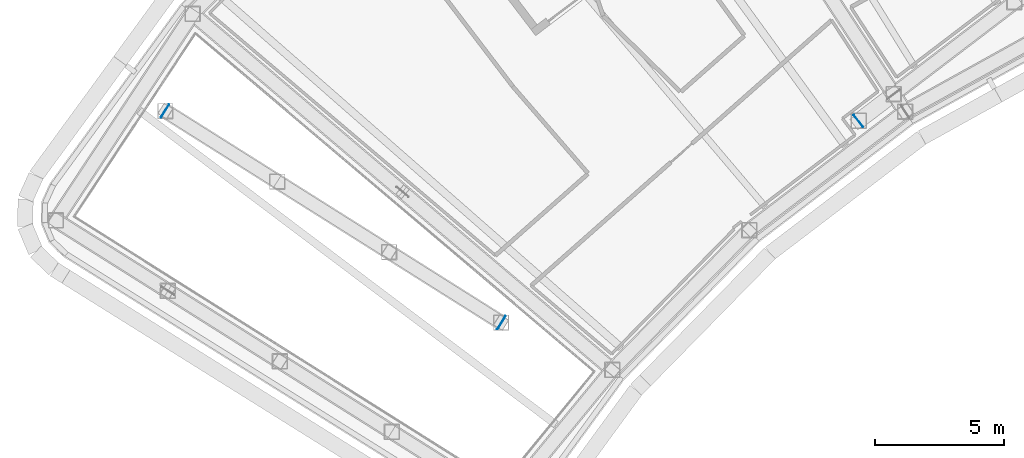
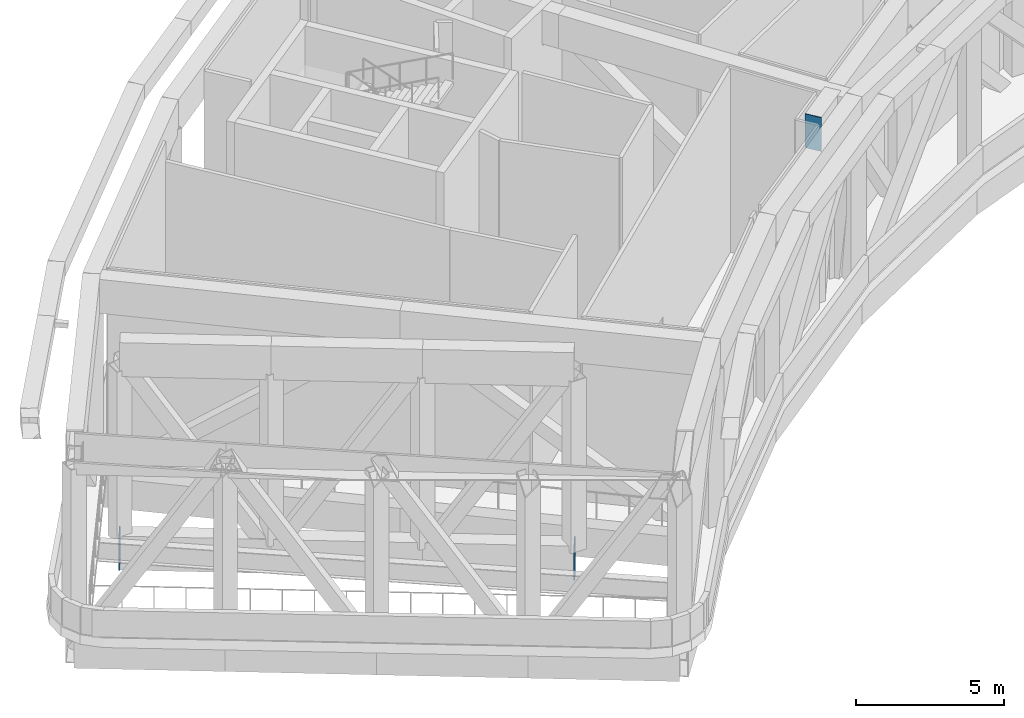
# One storey, part 13 of 24: 3 discrete accessories.
"""IFC4 building model written with IfcOpenShell, lengths in metres."""

from ifc_helpers import new_model, si_unit, direction, frame, origin, origin_2d, place, context, subcontext, project, spatial, rectangle, extrude, material, type_object, element, save


model = new_model("IFC4")

# Units and contexts
model_context = context("Model", 3, precision=1e-05, world=origin(), true_north=direction((0.0, 1.0)))
body_context = subcontext(model_context, "Body", "Model", "MODEL_VIEW")
ifc_project = project(units=[si_unit("LENGTHUNIT", "METRE"), si_unit("AREAUNIT", "SQUARE_METRE"), si_unit("VOLUMEUNIT", "CUBIC_METRE"), si_unit("PLANEANGLEUNIT", "RADIAN"), si_unit("MASSUNIT", "GRAM", prefix="KILO")], contexts=[model_context])

# Site, building, storey
site_placement = place(None, origin())
site = spatial("IfcSite", under=ifc_project, at=site_placement, CompositionType="ELEMENT")
building_placement = place(site_placement, origin())
building = spatial("IfcBuilding", under=site, at=building_placement, Name="Tuul Gate Civic Tower", CompositionType="ELEMENT")
storey_placement = place(building_placement, frame((0.0, 0.0, 277.800048828125)))
storey = spatial("IfcBuildingStorey", under=building, at=storey_placement, Name="Wind floor 2", CompositionType="ELEMENT", Elevation=277.800048828125)

# Discrete accessories
ifc_material = material(Name="Steel S355", Category="steel")
discrete_accessory_type = type_object("IfcDiscreteAccessoryType", Name="End cap plate", PredefinedType="BRACKET", material=ifc_material)
for number, where, z_axis, x_axis, name in (
    (1, (-23.748046875, -21.0380859375, 6.199951171875), (0.0, 0.0, 1.0), (0.795616135693, 0.605801093284, 0.0), "End cap plate"),
    (2, (-50.652587890625, -20.64599609375, -1.800048828125), (0.0, 0.0, 1.0), (0.846131945012, -0.53297348117, 0.0), "End cap plate"),
    (3, (-37.600341796875, -28.865966796875, -1.800048828125), (0.0, 0.0, 1.0), (0.846131945012, -0.53297348117, 0.0), "End cap plate"),
):
    element("IfcDiscreteAccessory", number, at=place(storey_placement, frame(where, z_axis=z_axis, x_axis=x_axis)), inside=storey, type_object=discrete_accessory_type, Name=name, PredefinedType="BRACKET", context=body_context, shape_type="SweptSolid", body=[
        extrude(rectangle(XDim=0.030029296875, YDim=0.60009765625, at=origin_2d()), origin(), (0.0, 0.0, 1.0), 1.39990234375),
    ])

save(model, "model.ifc")
